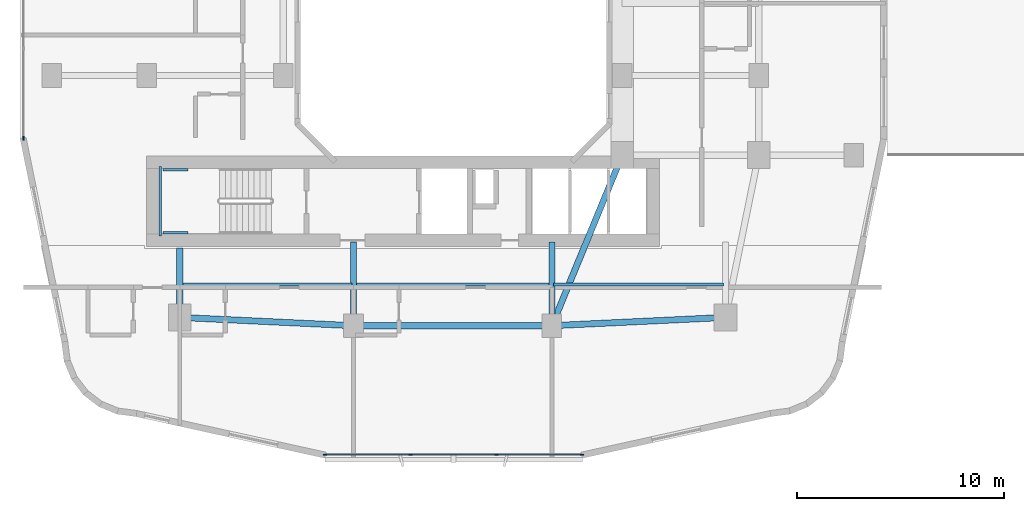
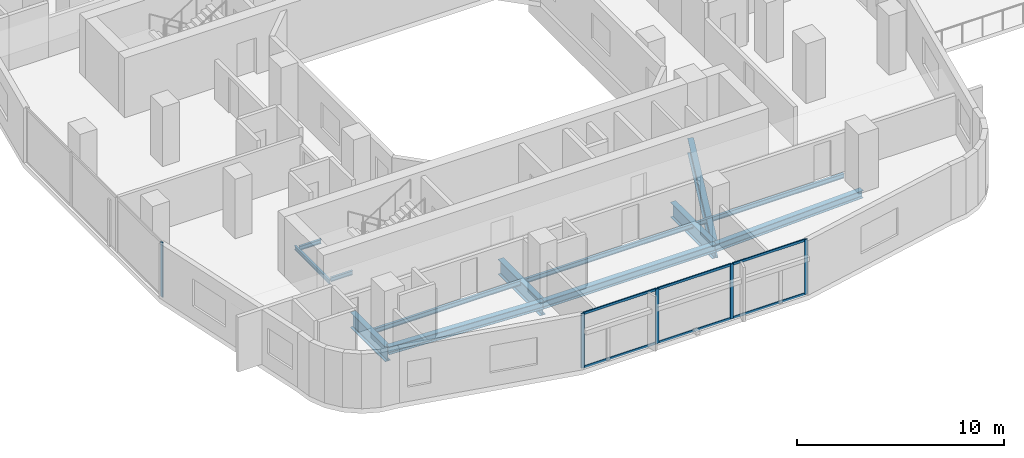
# One storey, part 2 of 25: 13 beams, 11 members, 2 elements without a shape of their own.
"""IFC4 building model written with IfcOpenShell, lengths in metres."""

import ifcopenshell
import ifcopenshell.guid

model = None  # the IFC model being written
_history = None  # IfcOwnerHistory: only IFC2X3 demands one
_inside = {}  # id of a spatial element -> (the spatial element, [elements in it])
_under = {}  # id of a project, library or spatial element -> (it, [spatial elements below it])
_declared = {}  # id of a project -> (the project, [libraries it declares])
_typed = {}  # id of a type object -> (the type object, [elements of that type])
_made_of = {}  # id of a material, layer set ... -> (it, [elements and type objects made of it])


def new_model(schema):
    """Start an empty IFC model of exactly this schema.

    Asked for "IFC4X3", IfcOpenShell would pick the latest addendum, in which some entities
    have other attributes; the version numbers below select the first issue.
    IFC2X3 requires an IfcOwnerHistory on every rooted entity: one is made here for all.
    """
    global model, _history
    if schema == "IFC4X3":
        model = ifcopenshell.file(schema_version=(4, 3, 0, 0))
    else:
        model = ifcopenshell.file(schema=schema)
    _inside.clear()
    _under.clear()
    _declared.clear()
    _typed.clear()
    _made_of.clear()
    _history = None
    if model.schema == "IFC2X3":
        org = make("IfcOrganization", Name="unknown")
        user = make(
            "IfcPersonAndOrganization",
            ThePerson=make("IfcPerson", FamilyName="unknown"),
            TheOrganization=org,
        )
        app = make(
            "IfcApplication",
            ApplicationDeveloper=org,
            Version="unknown",
            ApplicationFullName="unknown",
            ApplicationIdentifier="unknown",
        )
        _history = make(
            "IfcOwnerHistory",
            OwningUser=user,
            OwningApplication=app,
            ChangeAction="ADDED",
            CreationDate=0,
        )
    return model


def make(cls, **values):
    """One entity of the class cls with the attributes given. An attribute that is None is left unset."""
    return model.create_entity(
        cls, **{name: value for name, value in values.items() if value is not None}
    )


def rooted(cls, **values):
    """An entity with a GlobalId (a new one), such as an element, a storey or a relation."""
    return make(cls, GlobalId=ifcopenshell.guid.new(), OwnerHistory=_history, **values)


def si_unit(unit_type, name, prefix=None):
    """IfcSIUnit, for example si_unit("LENGTHUNIT", "METRE", prefix="MILLI")."""
    return make("IfcSIUnit", UnitType=unit_type, Prefix=prefix, Name=name)


def derived_unit(unit_type, elements):
    """IfcDerivedUnit: a product of units, each with its exponent."""
    return make(
        "IfcDerivedUnit",
        Elements=[
            make("IfcDerivedUnitElement", Unit=unit, Exponent=power)
            for unit, power in elements
        ],
        UnitType=unit_type,
    )


def assignment(units):
    """IfcUnitAssignment: the units of a project."""
    return None if units is None else make("IfcUnitAssignment", Units=units)


def point(xyz):
    """IfcCartesianPoint."""
    return None if xyz is None else make("IfcCartesianPoint", Coordinates=xyz)


def direction(xyz):
    """IfcDirection."""
    return None if xyz is None else make("IfcDirection", DirectionRatios=xyz)


def frame(location, z_axis=None, x_axis=None):
    """IfcAxis2Placement3D, a coordinate frame: its origin and axes. An axis left out is left unset."""
    return make(
        "IfcAxis2Placement3D",
        Location=point(location),
        Axis=direction(z_axis),
        RefDirection=direction(x_axis),
    )


def frame_2d(location, x_axis=None):
    """IfcAxis2Placement2D, a coordinate frame in the plane: its origin and x axis."""
    return make(
        "IfcAxis2Placement2D", Location=point(location), RefDirection=direction(x_axis)
    )


def origin():
    """The frame at (0, 0, 0) with its axes left unset."""
    return frame((0.0, 0.0, 0.0))


def origin_2d():
    """The frame at (0, 0) in the plane with its x axis left unset."""
    return frame_2d((0.0, 0.0))


def place(relative_to, where):
    """IfcLocalPlacement: puts the frame where relative to a parent placement (None: the world)."""
    return make(
        "IfcLocalPlacement", PlacementRelTo=relative_to, RelativePlacement=where
    )


def context(
    kind, dimensions, precision=None, world=None, true_north=None, identifier=None
):
    """IfcGeometricRepresentationContext, for example the 3D "Model" context."""
    return make(
        "IfcGeometricRepresentationContext",
        ContextIdentifier=identifier,
        ContextType=kind,
        CoordinateSpaceDimension=dimensions,
        Precision=precision,
        WorldCoordinateSystem=world,
        TrueNorth=true_north,
    )


def subcontext(parent, identifier, kind, view, scale=None):
    """IfcGeometricRepresentationSubContext, for example "Body" below "Model"."""
    return make(
        "IfcGeometricRepresentationSubContext",
        ContextIdentifier=identifier,
        ContextType=kind,
        ParentContext=parent,
        TargetScale=scale,
        TargetView=view,
    )


def project(units=None, contexts=None):
    """IfcProject with its units and contexts."""
    return rooted(
        "IfcProject",
        Name="project",
        RepresentationContexts=contexts,
        UnitsInContext=assignment(units),
    )


def spatial(cls, under=None, at=None, **own):
    """A site, building, storey or space (cls), placed at a placement, below another one or the project."""
    s = rooted(cls, ObjectPlacement=at, **own)
    if under is not None:
        _under.setdefault(under.id(), (under, []))[1].append(s)
    return s


def profile(cls, at=None, kind="AREA", **sizes):
    """A parametric profile (cls). Its sizes go by their IFC names, for example OverallWidth=200.0."""
    return make(cls, ProfileType=kind, Position=at, **sizes)


def rectangle(**sizes):
    """IfcRectangleProfileDef."""
    return profile("IfcRectangleProfileDef", **sizes)


def i_section(**sizes):
    """IfcIShapeProfileDef."""
    return profile("IfcIShapeProfileDef", **sizes)


def extrude(swept, where, along, depth):
    """IfcExtrudedAreaSolid: the profile swept, set in the frame where, extruded along a direction by depth."""
    return make(
        "IfcExtrudedAreaSolid",
        SweptArea=swept,
        Position=where,
        ExtrudedDirection=direction(along),
        Depth=depth,
    )


def shape(context_of_items, identifier, shape_type, items):
    """IfcShapeRepresentation: the items that make up one representation, for example the "Body"."""
    return make(
        "IfcShapeRepresentation",
        ContextOfItems=context_of_items,
        RepresentationIdentifier=identifier,
        RepresentationType=shape_type,
        Items=items,
    )


def material(Name=None, Category=None):
    """IfcMaterial."""
    return make("IfcMaterial", Name=Name, Category=Category)


def layer(
    of_material, thickness, ventilated=None, Name=None, Category=None, Priority=None
):
    """IfcMaterialLayer: one layer of a wall or slab, of a material (None: an air gap)."""
    return make(
        "IfcMaterialLayer",
        Material=of_material,
        LayerThickness=thickness,
        IsVentilated=ventilated,
        Name=Name,
        Category=Category,
        Priority=Priority,
    )


def layer_set(layers, Name=None):
    """IfcMaterialLayerSet."""
    return make("IfcMaterialLayerSet", MaterialLayers=layers, LayerSetName=Name)


def material_profile(
    of_material, cross_section, Name=None, Category=None, Priority=None
):
    """IfcMaterialProfile: a cross section and its material."""
    return make(
        "IfcMaterialProfile",
        Name=Name,
        Material=of_material,
        Profile=cross_section,
        Priority=Priority,
        Category=Category,
    )


def profile_set(profiles, Name=None, composite=None):
    """IfcMaterialProfileSet."""
    return make(
        "IfcMaterialProfileSet",
        Name=Name,
        MaterialProfiles=profiles,
        CompositeProfile=composite,
    )


def made_of(thing, what):
    """Note that an element or type object is made of a material, layer set ...; save() writes the relation."""
    if what is not None:
        _made_of.setdefault(what.id(), (what, []))[1].append(thing)
    return thing


def type_object(cls, material=None, **own):
    """A type object (cls), such as IfcWallType, which elements share."""
    return made_of(rooted(cls, **own), material)


def element(
    cls,
    number,
    at=None,
    inside=None,
    cuts=None,
    type_object=None,
    material=None,
    context=None,
    identifier="Body",
    shape_type=None,
    held_by="IfcProductDefinitionShape",
    body=None,
    shapes=None,
    **own,
):
    """One element of the class cls, such as IfcWall. Its Tag is "e" and its number.

    at: its placement. inside: the storey or other place that contains it. cuts: it is an
    opening in that element (IfcRelVoidsElement). A single representation is given by context,
    identifier, shape_type and body (its items); several are given by shapes. held_by: the class
    of the entity that holds the representations. save() writes the other relations.
    """
    e = rooted(cls, Tag="e%d" % number, ObjectPlacement=at, **own)
    if body is not None:
        shapes = [shape(context, identifier, shape_type, body)]
    if shapes is not None:
        e.Representation = make(held_by, Representations=shapes)
    if inside is not None:
        _inside.setdefault(inside.id(), (inside, []))[1].append(e)
    if cuts is not None:
        rooted(
            "IfcRelVoidsElement", RelatingBuildingElement=cuts, RelatedOpeningElement=e
        )
    if type_object is not None:
        _typed.setdefault(type_object.id(), (type_object, []))[1].append(e)
    return made_of(e, material)


def aggregate(whole, parts):
    """IfcRelAggregates: a whole, such as a stair, and the parts it consists of."""
    return rooted("IfcRelAggregates", RelatingObject=whole, RelatedObjects=parts)


def save(model, path):
    """Write the relations noted so far, then the file.

    IfcRelAggregates (storeys below a building ...), IfcRelContainedInSpatialStructure (elements
    in a storey), IfcRelDefinesByType, IfcRelAssociatesMaterial and IfcRelDeclares: one each for
    every whole, place, type object, material and project.
    """
    for whole, parts in _under.values():
        aggregate(whole, parts)
    for where, things in _inside.values():
        rooted(
            "IfcRelContainedInSpatialStructure",
            RelatedElements=things,
            RelatingStructure=where,
        )
    for kind, things in _typed.values():
        rooted("IfcRelDefinesByType", RelatedObjects=things, RelatingType=kind)
    for what, things in _made_of.values():
        rooted("IfcRelAssociatesMaterial", RelatedObjects=things, RelatingMaterial=what)
    for by, libraries in _declared.values():
        rooted("IfcRelDeclares", RelatingContext=by, RelatedDefinitions=libraries)
    model.write(path)


model = new_model("IFC4")

# Units and contexts
model_context = context("Model", 3, precision=1e-05, world=origin(), true_north=direction((0.0, 1.0)))
body_context = subcontext(model_context, "Body", "Model", "MODEL_VIEW")
ifc_project = project(units=[si_unit("LENGTHUNIT", "METRE"), si_unit("AREAUNIT", "SQUARE_METRE"), si_unit("VOLUMEUNIT", "CUBIC_METRE"), si_unit("PLANEANGLEUNIT", "RADIAN"), si_unit("MASSUNIT", "GRAM", prefix="KILO"), derived_unit("THERMALTRANSMITTANCEUNIT", [(si_unit("POWERUNIT", "WATT"), 1), (si_unit("LENGTHUNIT", "METRE"), -2), (si_unit("THERMODYNAMICTEMPERATUREUNIT", "KELVIN"), -1)])], contexts=[model_context])

# Site, building, storey
site_placement = place(None, origin())
site = spatial("IfcSite", under=ifc_project, at=site_placement, CompositionType="ELEMENT")
building_placement = place(site_placement, origin())
building = spatial("IfcBuilding", under=site, at=building_placement, Name="Kivonza Crest Hotel", CompositionType="ELEMENT")
storey_placement = place(building_placement, frame((0.0, 0.0, 24.0)))
storey = spatial("IfcBuildingStorey", under=building, at=storey_placement, Name="L05", CompositionType="ELEMENT", Elevation=24.0)

# Beams
ifc_material_1 = material(Name="Steel S355", Category="steel")
ifc_material_profile_1 = material_profile(ifc_material_1, i_section(OverallWidth=0.300048828125, OverallDepth=0.449951171875, WebThickness=0.013916015625, FlangeThickness=0.02587890625, FilletRadius=0.027099609375, at=origin_2d()), Name="HEB 450")
ifc_profile_set_1 = profile_set([ifc_material_profile_1], Name="Steel S355")
beam_type_1 = type_object("IfcBeamType", Name="BM-HEB450", PredefinedType="SPANDREL", material=ifc_profile_set_1)
beam_1_placement = place(storey_placement, frame((16.199951171875, 9.39990234375, -0.5048828125), z_axis=(1.0, 0.0, 0.0), x_axis=(0.0, 1.0, 0.0)))
element("IfcBeam", 1, at=beam_1_placement, inside=storey, type_object=beam_type_1, Name="Tower T1 L05 perimeter spandrel S1-S2", PredefinedType="SPANDREL", context=body_context, shape_type="SweptSolid", body=[
    extrude(i_section(OverallWidth=0.300048828125, OverallDepth=0.449951171875, WebThickness=0.013916015625, FlangeThickness=0.02587890625, FilletRadius=0.027099609375, at=origin_2d()), origin(), (0.0, 0.0, 1.0), 9.60009765625),
])
for number, where, z_axis, x_axis, name in (
    (2, (25.800048828125, 9.39990234375, -0.5048828125), (0.998867283688, 0.047583080799, 0.0), (-0.047583080799, 0.998867283688, 0.0), "Tower T1 L05 perimeter spandrel S2-SE"),
    (3, (7.800048828125, 9.800048828125, -0.5048828125), (0.998867283688, -0.047583080799, 0.0), (0.047583080799, 0.998867283688, 0.0), "Tower T1 L05 perimeter spandrel SW-S1"),
):
    element("IfcBeam", number, at=place(storey_placement, frame(where, z_axis=z_axis, x_axis=x_axis)), inside=storey, type_object=beam_type_1, Name=name, PredefinedType="SPANDREL", context=body_context, shape_type="SweptSolid", body=[
        extrude(i_section(OverallWidth=0.300048828125, OverallDepth=0.449951171875, WebThickness=0.013916015625, FlangeThickness=0.02587890625, FilletRadius=0.027099609375, at=origin_2d()), origin(), (0.0, 0.0, 1.0), 8.409423828125),
    ])
ifc_material_profile_2 = material_profile(ifc_material_1, i_section(OverallWidth=0.300048828125, OverallDepth=0.89990234375, WebThickness=0.0185546875, FlangeThickness=0.034912109375, FilletRadius=0.030029296875, at=origin_2d()), Name="HEB 900")
ifc_profile_set_2 = profile_set([ifc_material_profile_2], Name="Steel S355")
beam_type_2 = type_object("IfcBeamType", Name="BM-HEB900", PredefinedType="BEAM", material=ifc_profile_set_2)
beam_2_placement = place(storey_placement, frame((25.800048828125, 9.39990234375, -0.72998046875), z_axis=(0.381022260404, 0.924565864109, 0.0), x_axis=(-0.924565864109, 0.381022260404, 0.0)))
element("IfcBeam", 4, at=beam_2_placement, inside=storey, type_object=beam_type_2, Name="Tower T1 L05 primary girder S1-TSE", PredefinedType="BEAM", context=body_context, shape_type="SweptSolid", body=[
    extrude(i_section(OverallWidth=0.300048828125, OverallDepth=0.89990234375, WebThickness=0.0185546875, FlangeThickness=0.034912109375, FilletRadius=0.030029296875, at=origin_2d()), origin(), (0.0, 0.0, 1.0), 8.923095703125),
])
beam_3_placement = place(storey_placement, frame((7.800048828125, 9.800048828125, -0.72998046875), z_axis=(0.0, 1.0, 0.0), x_axis=(-1.0, 0.0, 0.0)))
element("IfcBeam", 5, at=beam_3_placement, inside=storey, type_object=beam_type_2, Name="Tower T1 L05 radial core girder RSW", PredefinedType="BEAM", context=body_context, shape_type="SweptSolid", body=[
    extrude(i_section(OverallWidth=0.300048828125, OverallDepth=0.89990234375, WebThickness=0.0185546875, FlangeThickness=0.034912109375, FilletRadius=0.030029296875, at=origin_2d()), origin(), (0.0, 0.0, 1.0), 3.349853515625),
])
for number, where, z_axis, x_axis, name in (
    (6, (16.199951171875, 9.39990234375, -0.72998046875), (0.0, 1.0, 0.0), (-1.0, 0.0, 0.0), "Tower T1 L05 radial core girder RS1"),
    (7, (25.800048828125, 9.39990234375, -0.72998046875), (0.0, 1.0, 0.0), (-1.0, 0.0, 0.0), "Tower T1 L05 radial core girder RS2"),
):
    element("IfcBeam", number, at=place(storey_placement, frame(where, z_axis=z_axis, x_axis=x_axis)), inside=storey, type_object=beam_type_2, Name=name, PredefinedType="BEAM", context=body_context, shape_type="SweptSolid", body=[
        extrude(i_section(OverallWidth=0.300048828125, OverallDepth=0.89990234375, WebThickness=0.0185546875, FlangeThickness=0.034912109375, FilletRadius=0.030029296875, at=origin_2d()), origin(), (0.0, 0.0, 1.0), 4.050048828125),
    ])
ifc_material_profile_3 = material_profile(ifc_material_1, i_section(OverallWidth=0.135009765625, OverallDepth=0.27001953125, WebThickness=0.006591796875, FlangeThickness=0.01025390625, FilletRadius=0.014892578125, at=origin_2d()), Name="IPE 270")
ifc_profile_set_3 = profile_set([ifc_material_profile_3], Name="Steel S355")
beam_type_3 = type_object("IfcBeamType", Name="BM-IPE270", PredefinedType="JOIST", material=ifc_profile_set_3)
beam_4_placement = place(storey_placement, frame((7.8798828125, 11.39990234375, -0.4150390625), z_axis=(1.0, 0.0, 0.0), x_axis=(0.0, 1.0, 0.0)))
element("IfcBeam", 8, at=beam_4_placement, inside=storey, type_object=beam_type_3, Name="Tower T1 L05 South-West floor joist", PredefinedType="JOIST", context=body_context, shape_type="SweptSolid", body=[
    extrude(i_section(OverallWidth=0.135009765625, OverallDepth=0.27001953125, WebThickness=0.006591796875, FlangeThickness=0.01025390625, FilletRadius=0.014892578125, at=origin_2d()), origin(), (0.0, 0.0, 1.0), 8.240234375),
])
beam_5_placement = place(storey_placement, frame((16.280029296875, 11.39990234375, -0.4150390625), z_axis=(1.0, 0.0, 0.0), x_axis=(0.0, 1.0, 0.0)))
element("IfcBeam", 9, at=beam_5_placement, inside=storey, type_object=beam_type_3, Name="Tower T1 L05 South-Mid floor joist", PredefinedType="JOIST", context=body_context, shape_type="SweptSolid", body=[
    extrude(i_section(OverallWidth=0.135009765625, OverallDepth=0.27001953125, WebThickness=0.006591796875, FlangeThickness=0.01025390625, FilletRadius=0.014892578125, at=origin_2d()), origin(), (0.0, 0.0, 1.0), 9.43994140625),
])
beam_6_placement = place(storey_placement, frame((25.8798828125, 11.39990234375, -0.4150390625), z_axis=(1.0, 0.0, 0.0), x_axis=(0.0, 1.0, 0.0)))
element("IfcBeam", 10, at=beam_6_placement, inside=storey, type_object=beam_type_3, Name="Tower T1 L05 South-East floor joist", PredefinedType="JOIST", context=body_context, shape_type="SweptSolid", body=[
    extrude(i_section(OverallWidth=0.135009765625, OverallDepth=0.27001953125, WebThickness=0.006591796875, FlangeThickness=0.01025390625, FilletRadius=0.014892578125, at=origin_2d()), origin(), (0.0, 0.0, 1.0), 8.240234375),
])
ifc_material_profile_4 = material_profile(ifc_material_1, i_section(OverallWidth=0.1201171875, OverallDepth=0.239990234375, WebThickness=0.006103515625, FlangeThickness=0.009765625, FilletRadius=0.014892578125, at=origin_2d()), Name="IPE 240")
ifc_profile_set_4 = profile_set([ifc_material_profile_4], Name="Steel S355")
beam_type_4 = type_object("IfcBeamType", Name="BM-LLDG-240", PredefinedType="BEAM", material=ifc_profile_set_4)
beam_7_placement = place(storey_placement, frame((6.860107421875, 13.739990234375, 1.429931640625), z_axis=(0.0, 1.0, 0.0), x_axis=(-1.0, 0.0, 0.0)))
element("IfcBeam", 11, at=beam_7_placement, inside=storey, type_object=beam_type_4, Name="Stair ST-T1-S L05 West landing corbel", PredefinedType="BEAM", context=body_context, shape_type="SweptSolid", body=[
    extrude(i_section(OverallWidth=0.1201171875, OverallDepth=0.239990234375, WebThickness=0.006103515625, FlangeThickness=0.009765625, FilletRadius=0.014892578125, at=origin_2d()), origin(), (0.0, 0.0, 1.0), 3.360107421875),
])
for number, where, z_axis, x_axis, name in (
    (12, (6.989990234375, 13.89990234375, 1.429931640625), (1.0, 0.0, 0.0), (0.0, 1.0, 0.0), "Stair ST-T1-S L05 South landing corbel"),
    (13, (6.989990234375, 16.93994140625, 1.429931640625), (1.0, 0.0, 0.0), (0.0, 1.0, 0.0), "Stair ST-T1-S L05 North landing corbel"),
):
    element("IfcBeam", number, at=place(storey_placement, frame(where, z_axis=z_axis, x_axis=x_axis)), inside=storey, type_object=beam_type_4, Name=name, PredefinedType="BEAM", context=body_context, shape_type="SweptSolid", body=[
        extrude(i_section(OverallWidth=0.1201171875, OverallDepth=0.239990234375, WebThickness=0.006103515625, FlangeThickness=0.009765625, FilletRadius=0.014892578125, at=origin_2d()), origin(), (0.0, 0.0, 1.0), 1.2099609375),
    ])

# Curtain wall, members
ifc_material_2 = material(Name="Anodised bronze aluminium and low-E double glazing", Category="aluminium")
ifc_layer = layer(ifc_material_2, 0.179931640625)
ifc_layer_set = layer_set([ifc_layer], Name="Anodised bronze aluminium and low-E double glazing")
curtain_wall_type = type_object("IfcCurtainWallType", Name="CW-SYS-2", PredefinedType="NOTDEFINED", material=ifc_layer_set)
curtain_wall_1_placement = place(storey_placement, origin())
curtain_wall_1 = element("IfcCurtainWall", 14, at=curtain_wall_1_placement, inside=storey, type_object=curtain_wall_type, Name="L05 unitised curtain wall CW-T1-L05-08", PredefinedType="NOTDEFINED")
ifc_material_3 = material(Name="Anodised bronze aluminium", Category="aluminium")
ifc_material_profile_5 = material_profile(ifc_material_3, rectangle(XDim=0.06494140625, YDim=0.179931640625, at=origin_2d()), Name="CW-M 65x180")
ifc_profile_set_5 = profile_set([ifc_material_profile_5], Name="Anodised bronze aluminium")
member_type_1 = type_object("IfcMemberType", Name="CW-MUL-65x180", PredefinedType="MULLION", material=ifc_profile_set_5)
member_1_placement = place(storey_placement, frame((14.824462890625, 3.159912109375, 0.0), z_axis=(0.0, 0.0, 1.0), x_axis=(0.0, 1.0, 0.0)))
member_1 = element("IfcMember", 15, at=member_1_placement, type_object=member_type_1, Name="CW-2 mullion 1", PredefinedType="MULLION", context=body_context, shape_type="SweptSolid", body=[
    extrude(rectangle(XDim=0.06494140625, YDim=0.179931640625, at=origin_2d()), origin(), (0.0, 0.0, 1.0), 3.219970703125),
])
member_2_placement = place(storey_placement, frame((18.957275390625, 3.159912109375, 0.0), z_axis=(0.0, 0.0, 1.0), x_axis=(0.0, 1.0, 0.0)))
member_2 = element("IfcMember", 16, at=member_2_placement, type_object=member_type_1, Name="CW-2 mullion 2", PredefinedType="MULLION", context=body_context, shape_type="SweptSolid", body=[
    extrude(rectangle(XDim=0.06494140625, YDim=0.179931640625, at=origin_2d()), origin(), (0.0, 0.0, 1.0), 3.219970703125),
])
member_3_placement = place(storey_placement, frame((23.12255859375, 3.159912109375, 0.0), z_axis=(0.0, 0.0, 1.0), x_axis=(0.0, 1.0, 0.0)))
member_3 = element("IfcMember", 17, at=member_3_placement, type_object=member_type_1, Name="CW-2 mullion 3", PredefinedType="MULLION", context=body_context, shape_type="SweptSolid", body=[
    extrude(rectangle(XDim=0.06494140625, YDim=0.179931640625, at=origin_2d()), origin(), (0.0, 0.0, 1.0), 3.219970703125),
])
member_4_placement = place(storey_placement, frame((27.255615234375, 3.159912109375, 0.0), z_axis=(0.0, 0.0, 1.0), x_axis=(0.0, 1.0, 0.0)))
member_4 = element("IfcMember", 18, at=member_4_placement, type_object=member_type_1, Name="CW-2 mullion 4", PredefinedType="MULLION", context=body_context, shape_type="SweptSolid", body=[
    extrude(rectangle(XDim=0.06494140625, YDim=0.179931640625, at=origin_2d()), origin(), (0.0, 0.0, 1.0), 3.219970703125),
])

# Curtain wall, member
curtain_wall_2_placement = place(storey_placement, origin())
curtain_wall_2 = element("IfcCurtainWall", 19, at=curtain_wall_2_placement, inside=storey, type_object=curtain_wall_type, Name="L05 unitised curtain wall CW-T1-L05-35", PredefinedType="NOTDEFINED")
member_5_placement = place(storey_placement, frame((0.239990234375, 18.472412109375, 0.0), z_axis=(0.0, 0.0, 1.0), x_axis=(1.0, 0.0, 0.0)))
member_5 = element("IfcMember", 20, at=member_5_placement, type_object=member_type_1, Name="CW-2 mullion 4", PredefinedType="MULLION", context=body_context, shape_type="SweptSolid", body=[
    extrude(rectangle(XDim=0.06494140625, YDim=0.179931640625, at=origin_2d()), origin(), (0.0, 0.0, 1.0), 3.219970703125),
])
aggregate(curtain_wall_2, [member_5])

# Member
ifc_material_profile_6 = material_profile(ifc_material_3, rectangle(XDim=0.06494140625, YDim=0.139892578125, at=origin_2d()), Name="CW-T 65x140")
ifc_profile_set_6 = profile_set([ifc_material_profile_6], Name="Anodised bronze aluminium")
member_type_2 = type_object("IfcMemberType", Name="CW-TRN-65x140", PredefinedType="USERDEFINED", material=ifc_profile_set_6)
member_6_placement = place(storey_placement, frame((14.85693359375, 3.159912109375, 0.032470703125), z_axis=(1.0, 0.0, 0.0), x_axis=(0.0, 1.0, 0.0)))
member_6 = element("IfcMember", 21, at=member_6_placement, type_object=member_type_2, Name="CW-2 transom 1.1", ObjectType="TRANSOM", PredefinedType="USERDEFINED", context=body_context, shape_type="SweptSolid", body=[
    extrude(rectangle(XDim=0.06494140625, YDim=0.139892578125, at=origin_2d()), origin(), (0.0, 0.0, 1.0), 4.06787109375),
])

member_7_placement = place(storey_placement, frame((14.85693359375, 3.159912109375, 3.1875), z_axis=(1.0, 0.0, 0.0), x_axis=(0.0, 1.0, 0.0)))
member_7 = element("IfcMember", 22, at=member_7_placement, type_object=member_type_2, Name="CW-2 transom 1.2", ObjectType="TRANSOM", PredefinedType="USERDEFINED", context=body_context, shape_type="SweptSolid", body=[
    extrude(rectangle(XDim=0.06494140625, YDim=0.139892578125, at=origin_2d()), origin(), (0.0, 0.0, 1.0), 4.06787109375),
])

member_8_placement = place(storey_placement, frame((18.98974609375, 3.159912109375, 0.032470703125), z_axis=(1.0, 0.0, 0.0), x_axis=(0.0, 1.0, 0.0)))
member_8 = element("IfcMember", 23, at=member_8_placement, type_object=member_type_2, Name="CW-2 transom 2.1", ObjectType="TRANSOM", PredefinedType="USERDEFINED", context=body_context, shape_type="SweptSolid", body=[
    extrude(rectangle(XDim=0.06494140625, YDim=0.139892578125, at=origin_2d()), origin(), (0.0, 0.0, 1.0), 4.100341796875),
])

member_9_placement = place(storey_placement, frame((18.98974609375, 3.159912109375, 3.1875), z_axis=(1.0, 0.0, 0.0), x_axis=(0.0, 1.0, 0.0)))
member_9 = element("IfcMember", 24, at=member_9_placement, type_object=member_type_2, Name="CW-2 transom 2.2", ObjectType="TRANSOM", PredefinedType="USERDEFINED", context=body_context, shape_type="SweptSolid", body=[
    extrude(rectangle(XDim=0.06494140625, YDim=0.139892578125, at=origin_2d()), origin(), (0.0, 0.0, 1.0), 4.100341796875),
])

member_10_placement = place(storey_placement, frame((23.1552734375, 3.159912109375, 0.032470703125), z_axis=(1.0, 0.0, 0.0), x_axis=(0.0, 1.0, 0.0)))
member_10 = element("IfcMember", 25, at=member_10_placement, type_object=member_type_2, Name="CW-2 transom 3.1", ObjectType="TRANSOM", PredefinedType="USERDEFINED", context=body_context, shape_type="SweptSolid", body=[
    extrude(rectangle(XDim=0.06494140625, YDim=0.139892578125, at=origin_2d()), origin(), (0.0, 0.0, 1.0), 4.067626953125),
])

member_11_placement = place(storey_placement, frame((23.1552734375, 3.159912109375, 3.1875), z_axis=(1.0, 0.0, 0.0), x_axis=(0.0, 1.0, 0.0)))
member_11 = element("IfcMember", 26, at=member_11_placement, type_object=member_type_2, Name="CW-2 transom 3.2", ObjectType="TRANSOM", PredefinedType="USERDEFINED", context=body_context, shape_type="SweptSolid", body=[
    extrude(rectangle(XDim=0.06494140625, YDim=0.139892578125, at=origin_2d()), origin(), (0.0, 0.0, 1.0), 4.067626953125),
])

aggregate(curtain_wall_1, [member_1, member_2, member_3, member_4, member_6, member_7, member_8, member_9, member_10, member_11])

save(model, "model.ifc")
